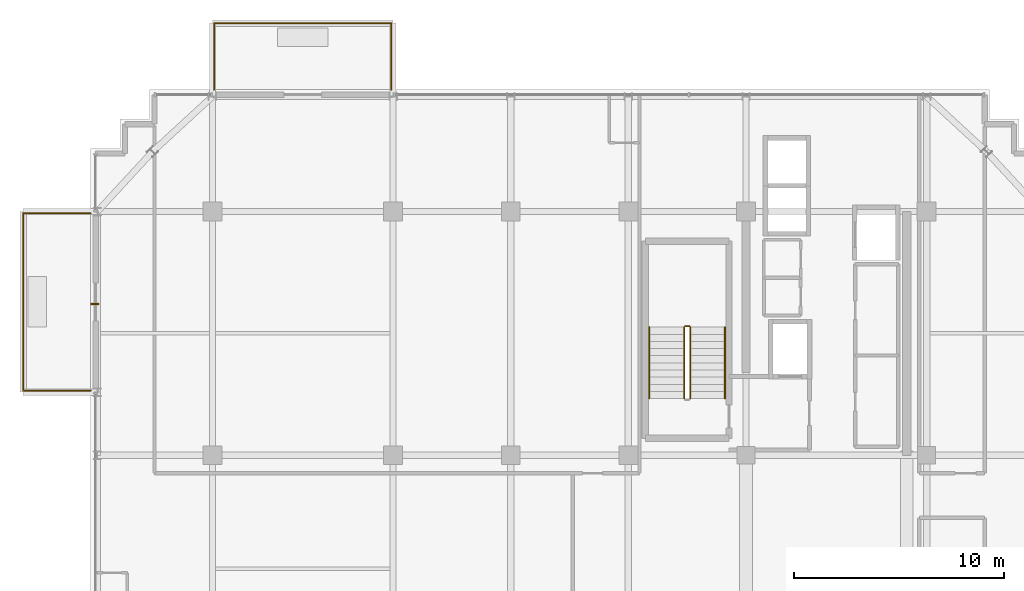
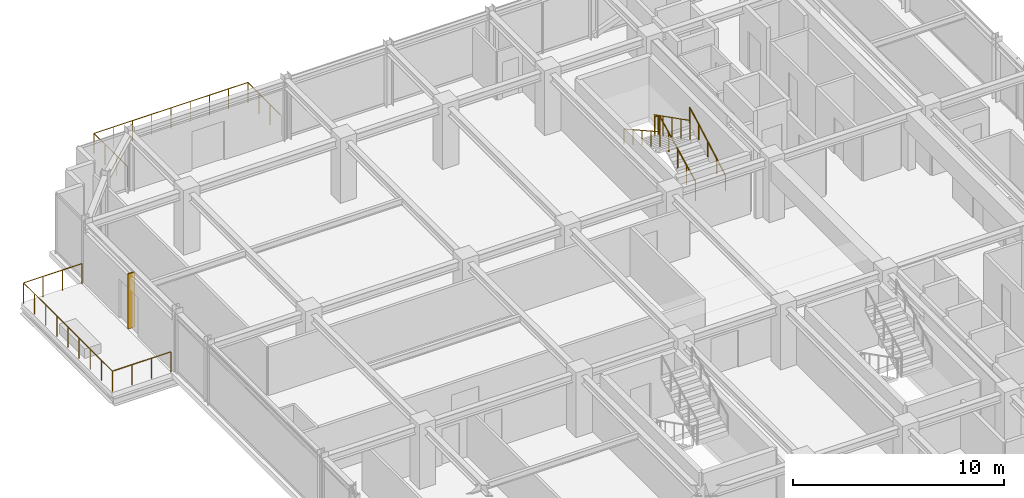
# One storey, part 33 of 34: 7 railings, 1 shading device.
"""IFC4 building model written with IfcOpenShell, lengths in metres."""

from ifc_helpers import new_model, si_unit, direction, frame, origin, origin_2d, place, context, subcontext, project, spatial, rectangle, circle, extrude, source, transform, mapped, material, layer, layer_set, type_object, element, save


model = new_model("IFC4")

# Units and contexts
model_context = context("Model", 3, precision=1e-05, world=origin(), true_north=direction((0.0, 1.0)))
body_context = subcontext(model_context, "Body", "Model", "MODEL_VIEW")
ifc_project = project(units=[si_unit("LENGTHUNIT", "METRE"), si_unit("AREAUNIT", "SQUARE_METRE"), si_unit("VOLUMEUNIT", "CUBIC_METRE"), si_unit("PLANEANGLEUNIT", "RADIAN"), si_unit("MASSUNIT", "GRAM", prefix="KILO")], contexts=[model_context])

# Site, building, storey
site_placement = place(None, origin())
site = spatial("IfcSite", under=ifc_project, at=site_placement, CompositionType="ELEMENT")
building_placement = place(site_placement, origin())
building = spatial("IfcBuilding", under=site, at=building_placement, Name="Nahalor Promenade Grand Hotel", CompositionType="ELEMENT")
storey_placement = place(building_placement, frame((0.0, 0.0, 334.75)))
storey = spatial("IfcBuildingStorey", under=building, at=storey_placement, Name="L86", CompositionType="ELEMENT", Elevation=334.75)

# Railings
ifc_material_1 = material(Name="Anodised Bronze Aluminium EN AW-6063 T6", Category="aluminium")
railing_type_1 = type_object("IfcRailingType", Name="Bronze Balcony Guardrail 1200 mm", PredefinedType="GUARDRAIL", material=ifc_material_1)
railing_1_placement = place(storey_placement, frame((-16.919921875, 22.800048828125, 0.0)))
element("IfcRailing", 1, at=railing_1_placement, inside=storey, type_object=railing_type_1, Name="L86 Balcony Guardrail 1", PredefinedType="GUARDRAIL", context=body_context, shape_type="SweptSolid", body=[
    extrude(circle(Radius=0.024048, at=origin_2d()), frame((0.0, 0.0, 1.17578125), z_axis=(0.0, 1.0, 0.0), x_axis=(-1.0, 0.0, 0.0)), (0.0, 0.0, 1.0), 3.16796875),
    extrude(circle(Radius=0.024048, at=origin_2d()), frame((0.001953125, 3.169921875, 1.17578125), z_axis=(1.0, 0.0, 0.0), x_axis=(0.0, 1.0, 0.0)), (0.0, 0.0, 1.0), 8.43603515625),
    extrude(circle(Radius=0.024048, at=origin_2d()), frame((8.43994140625, 3.16796875, 1.17578125), z_axis=(0.0, -1.0, 0.0), x_axis=(1.0, 0.0, 0.0)), (0.0, 0.0, 1.0), 3.16796875),
    extrude(circle(Radius=0.020996, at=origin_2d()), origin(), (0.0, 0.0, 1.0), 1.14990234375),
    extrude(circle(Radius=0.020996, at=origin_2d()), frame((0.0, 1.056640625, 0.0)), (0.0, 0.0, 1.0), 1.14990234375),
    extrude(circle(Radius=0.020996, at=origin_2d()), frame((0.0, 2.11328125, 0.0)), (0.0, 0.0, 1.0), 1.14990234375),
    extrude(circle(Radius=0.020996, at=origin_2d()), frame((0.0, 3.169921875, 0.0)), (0.0, 0.0, 1.0), 1.14990234375),
    extrude(circle(Radius=0.020996, at=origin_2d()), frame((1.054931640625, 3.169921875, 0.0)), (0.0, 0.0, 1.0), 1.14990234375),
    extrude(circle(Radius=0.020996, at=origin_2d()), frame((2.10986328125, 3.169921875, 0.0)), (0.0, 0.0, 1.0), 1.14990234375),
    extrude(circle(Radius=0.020996, at=origin_2d()), frame((3.1650390625, 3.169921875, 0.0)), (0.0, 0.0, 1.0), 1.14990234375),
    extrude(circle(Radius=0.020996, at=origin_2d()), frame((4.219970703125, 3.169921875, 0.0)), (0.0, 0.0, 1.0), 1.14990234375),
    extrude(circle(Radius=0.020996, at=origin_2d()), frame((5.27490234375, 3.169921875, 0.0)), (0.0, 0.0, 1.0), 1.14990234375),
    extrude(circle(Radius=0.020996, at=origin_2d()), frame((6.330078125, 3.169921875, 0.0)), (0.0, 0.0, 1.0), 1.14990234375),
    extrude(circle(Radius=0.020996, at=origin_2d()), frame((7.385009765625, 3.169921875, 0.0)), (0.0, 0.0, 1.0), 1.14990234375),
    extrude(circle(Radius=0.020996, at=origin_2d()), frame((8.43994140625, 3.169921875, 0.0)), (0.0, 0.0, 1.0), 1.14990234375),
    extrude(circle(Radius=0.020996, at=origin_2d()), frame((8.43994140625, 2.11328125, 0.0)), (0.0, 0.0, 1.0), 1.14990234375),
    extrude(circle(Radius=0.020996, at=origin_2d()), frame((8.43994140625, 1.056640625, 0.0)), (0.0, 0.0, 1.0), 1.14990234375),
    extrude(circle(Radius=0.020996, at=origin_2d()), frame((8.43994140625, 0.0, 0.0)), (0.0, 0.0, 1.0), 1.14990234375),
])
railing_2_placement = place(storey_placement, frame((-22.800048828125, 8.47998046875, 0.0)))
element("IfcRailing", 2, at=railing_2_placement, inside=storey, type_object=railing_type_1, Name="L86 Balcony Guardrail 2", PredefinedType="GUARDRAIL", context=body_context, shape_type="SweptSolid", body=[
    extrude(circle(Radius=0.024048, at=origin_2d()), frame((0.0, 0.0, 1.17578125), z_axis=(-1.0, 0.0, 0.0), x_axis=(0.0, -1.0, 0.0)), (0.0, 0.0, 1.0), 3.2080078125),
    extrude(circle(Radius=0.024048, at=origin_2d()), frame((-3.2099609375, 0.001953125, 1.17578125), z_axis=(0.0, 1.0, 0.0), x_axis=(-1.0, 0.0, 0.0)), (0.0, 0.0, 1.0), 8.43603515625),
    extrude(circle(Radius=0.024048, at=origin_2d()), frame((-3.2080078125, 8.43994140625, 1.17578125), z_axis=(1.0, 0.0, 0.0), x_axis=(0.0, 1.0, 0.0)), (0.0, 0.0, 1.0), 3.2080078125),
    extrude(circle(Radius=0.020996, at=origin_2d()), origin(), (0.0, 0.0, 1.0), 1.14990234375),
    extrude(circle(Radius=0.020996, at=origin_2d()), frame((-1.070068359375, 0.0, 0.0)), (0.0, 0.0, 1.0), 1.14990234375),
    extrude(circle(Radius=0.020996, at=origin_2d()), frame((-2.139892578125, 0.0, 0.0)), (0.0, 0.0, 1.0), 1.14990234375),
    extrude(circle(Radius=0.020996, at=origin_2d()), frame((-3.2099609375, 0.0, 0.0)), (0.0, 0.0, 1.0), 1.14990234375),
    extrude(circle(Radius=0.020996, at=origin_2d()), frame((-3.2099609375, 1.054931640625, 0.0)), (0.0, 0.0, 1.0), 1.14990234375),
    extrude(circle(Radius=0.020996, at=origin_2d()), frame((-3.2099609375, 2.10986328125, 0.0)), (0.0, 0.0, 1.0), 1.14990234375),
    extrude(circle(Radius=0.020996, at=origin_2d()), frame((-3.2099609375, 3.1650390625, 0.0)), (0.0, 0.0, 1.0), 1.14990234375),
    extrude(circle(Radius=0.020996, at=origin_2d()), frame((-3.2099609375, 4.219970703125, 0.0)), (0.0, 0.0, 1.0), 1.14990234375),
    extrude(circle(Radius=0.020996, at=origin_2d()), frame((-3.2099609375, 5.27490234375, 0.0)), (0.0, 0.0, 1.0), 1.14990234375),
    extrude(circle(Radius=0.020996, at=origin_2d()), frame((-3.2099609375, 6.330078125, 0.0)), (0.0, 0.0, 1.0), 1.14990234375),
    extrude(circle(Radius=0.020996, at=origin_2d()), frame((-3.2099609375, 7.385009765625, 0.0)), (0.0, 0.0, 1.0), 1.14990234375),
    extrude(circle(Radius=0.020996, at=origin_2d()), frame((-3.2099609375, 8.43994140625, 0.0)), (0.0, 0.0, 1.0), 1.14990234375),
    extrude(circle(Radius=0.020996, at=origin_2d()), frame((-2.139892578125, 8.43994140625, 0.0)), (0.0, 0.0, 1.0), 1.14990234375),
    extrude(circle(Radius=0.020996, at=origin_2d()), frame((-1.070068359375, 8.43994140625, 0.0)), (0.0, 0.0, 1.0), 1.14990234375),
    extrude(circle(Radius=0.020996, at=origin_2d()), frame((0.0, 8.43994140625, 0.0)), (0.0, 0.0, 1.0), 1.14990234375),
])
ifc_material_2 = material(Name="Steel S355JR", Category="steel")
railing_type_2 = type_object("IfcRailingType", Name="Steel Stair Guardrail 1150 mm", PredefinedType="GUARDRAIL", material=ifc_material_2)
railing_3_placement = place(storey_placement, frame((5.75, 8.10009765625, 0.172607421875)))
element("IfcRailing", 3, at=railing_3_placement, inside=storey, type_object=railing_type_2, Name="L86 ST1 stair guard 1", PredefinedType="GUARDRAIL", context=body_context, shape_type="SweptSolid", body=[
    extrude(circle(Radius=0.024048, at=origin_2d()), frame((0.0, 0.0, 1.1259765625), z_axis=(0.0, 0.89154070688, 0.452940578858), x_axis=(-1.0, 0.0, 0.0)), (0.0, 0.0, 1.0), 3.8134765625),
    extrude(circle(Radius=0.020996, at=origin_2d()), origin(), (0.0, 0.0, 1.0), 1.099853515625),
    extrude(circle(Radius=0.020996, at=origin_2d()), frame((0.0, 0.85009765625, 0.431884765625)), (0.0, 0.0, 1.0), 1.099853515625),
    extrude(circle(Radius=0.020996, at=origin_2d()), frame((0.0, 1.699951171875, 0.86376953125)), (0.0, 0.0, 1.0), 1.099853515625),
    extrude(circle(Radius=0.020996, at=origin_2d()), frame((0.0, 2.5498046875, 1.29541015625)), (0.0, 0.0, 1.0), 1.099853515625),
    extrude(circle(Radius=0.020996, at=origin_2d()), frame((0.0, 3.39990234375, 1.727294921875)), (0.0, 0.0, 1.0), 1.099853515625),
])
railing_4_placement = place(storey_placement, frame((5.699951171875, 11.550048828125, 1.89990234375)))
element("IfcRailing", 4, at=railing_4_placement, inside=storey, type_object=railing_type_2, Name="L86 ST1 stair guard 2", PredefinedType="GUARDRAIL", context=body_context, shape_type="SweptSolid", body=[
    extrude(circle(Radius=0.024048, at=origin_2d()), frame((0.0, 0.0, 1.1259765625), z_axis=(-1.0, 0.0, 0.0), x_axis=(0.0, -1.0, 0.0)), (0.0, 0.0, 1.0), 0.199951171875),
    extrude(circle(Radius=0.020996, at=origin_2d()), origin(), (0.0, 0.0, 1.0), 1.099853515625),
    extrude(circle(Radius=0.020996, at=origin_2d()), frame((-0.199951171875, 0.0, 0.0)), (0.0, 0.0, 1.0), 1.099853515625),
])
railing_5_placement = place(storey_placement, frame((5.449951171875, 11.5, 2.07275390625)))
element("IfcRailing", 5, at=railing_5_placement, inside=storey, type_object=railing_type_2, Name="L86 ST1 stair guard 3", PredefinedType="GUARDRAIL", context=body_context, shape_type="SweptSolid", body=[
    extrude(circle(Radius=0.024048, at=origin_2d()), frame((0.0, 0.0, 1.1259765625), z_axis=(0.0, -0.89154070688, 0.452940578858), x_axis=(1.0, 0.0, 0.0)), (0.0, 0.0, 1.0), 3.8134765625),
    extrude(circle(Radius=0.020996, at=origin_2d()), origin(), (0.0, 0.0, 1.0), 1.099853515625),
    extrude(circle(Radius=0.020996, at=origin_2d()), frame((0.0, -0.85009765625, 0.431884765625)), (0.0, 0.0, 1.0), 1.099853515625),
    extrude(circle(Radius=0.020996, at=origin_2d()), frame((0.0, -1.699951171875, 0.86376953125)), (0.0, 0.0, 1.0), 1.099853515625),
    extrude(circle(Radius=0.020996, at=origin_2d()), frame((0.0, -2.5498046875, 1.29541015625)), (0.0, 0.0, 1.0), 1.099853515625),
    extrude(circle(Radius=0.020996, at=origin_2d()), frame((0.0, -3.39990234375, 1.727294921875)), (0.0, 0.0, 1.0), 1.099853515625),
])
railing_type_3 = type_object("IfcRailingType", Name="Steel Stair Handrail 900 mm", PredefinedType="HANDRAIL", material=ifc_material_2)
railing_6_placement = place(storey_placement, frame((7.39990234375, 8.10009765625, 0.172607421875)))
element("IfcRailing", 6, at=railing_6_placement, inside=storey, type_object=railing_type_3, Name="L86 ST1 stair handrail 1", PredefinedType="HANDRAIL", context=body_context, shape_type="SweptSolid", body=[
    extrude(circle(Radius=0.024048, at=origin_2d()), frame((0.0, 0.0, 0.8759765625), z_axis=(0.0, 0.872921498864, 0.487860694073), x_axis=(-1.0, 0.0, 0.0)), (0.0, 0.0, 1.0), 3.894775390625),
    extrude(circle(Radius=0.020996, at=origin_2d()), origin(), (0.0, 0.0, 1.0), 0.849853515625),
    extrude(circle(Radius=0.020996, at=origin_2d()), frame((0.0, 0.85009765625, 0.47509765625)), (0.0, 0.0, 1.0), 0.849853515625),
    extrude(circle(Radius=0.020996, at=origin_2d()), frame((0.0, 1.699951171875, 0.9501953125)), (0.0, 0.0, 1.0), 0.849853515625),
    extrude(circle(Radius=0.020996, at=origin_2d()), frame((0.0, 2.5498046875, 1.425048828125)), (0.0, 0.0, 1.0), 0.849853515625),
    extrude(circle(Radius=0.020996, at=origin_2d()), frame((0.0, 3.39990234375, 1.900146484375)), (0.0, 0.0, 1.0), 0.849853515625),
])
railing_7_placement = place(storey_placement, frame((3.800048828125, 11.5, 2.07275390625)))
element("IfcRailing", 7, at=railing_7_placement, inside=storey, type_object=railing_type_3, Name="L86 ST1 stair handrail 2", PredefinedType="HANDRAIL", context=body_context, shape_type="SweptSolid", body=[
    extrude(circle(Radius=0.024048, at=origin_2d()), frame((0.0, 0.0, 0.8759765625), z_axis=(0.0, -0.872948192752, 0.487812928048), x_axis=(1.0, 0.0, 0.0)), (0.0, 0.0, 1.0), 3.894775390625),
    extrude(circle(Radius=0.020996, at=origin_2d()), origin(), (0.0, 0.0, 1.0), 0.849853515625),
    extrude(circle(Radius=0.020996, at=origin_2d()), frame((0.0, -0.85009765625, 0.47509765625)), (0.0, 0.0, 1.0), 0.849853515625),
    extrude(circle(Radius=0.020996, at=origin_2d()), frame((0.0, -1.699951171875, 0.949951171875)), (0.0, 0.0, 1.0), 0.849853515625),
    extrude(circle(Radius=0.020996, at=origin_2d()), frame((0.0, -2.5498046875, 1.4248046875)), (0.0, 0.0, 1.0), 0.849853515625),
    extrude(circle(Radius=0.020996, at=origin_2d()), frame((0.0, -3.39990234375, 1.89990234375)), (0.0, 0.0, 1.0), 0.849853515625),
])

# Shading device
ifc_layer = layer(ifc_material_1, 0.06005859375)
ifc_layer_set = layer_set([ifc_layer], Name="Anodised Bronze Aluminium EN AW-6063 T6")
shading_device_type = type_object("IfcShadingDeviceType", Name="Shade-SolarFin-Bronze", PredefinedType="JALOUSIE", material=ifc_layer_set)
shared_shape = source(origin(), body_context, "Body", "SweptSolid", [
    extrude(rectangle(XDim=0.3798828125, YDim=0.06005859375, at=origin_2d()), origin(), (0.0, 0.0, 1.0), 3.199951171875),
])
shading_device_placement = place(storey_placement, frame((-22.610107421875, 12.60009765625, 0.0), z_axis=(0.0, 0.0, 1.0), x_axis=(1.0, 0.0, 0.0)))
element("IfcShadingDevice", 8, at=shading_device_placement, inside=storey, type_object=shading_device_type, Name="JAL-L86-W2", PredefinedType="JALOUSIE", context=body_context, shape_type="MappedRepresentation", body=[
    mapped(shared_shape, transform((0.0, 0.0, 0.0), scale=1.0)),
])

save(model, "model.ifc")
